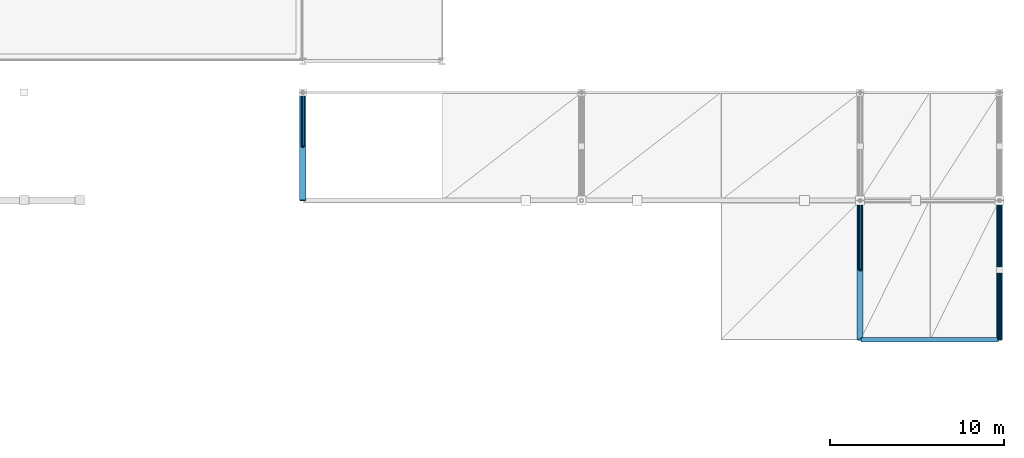
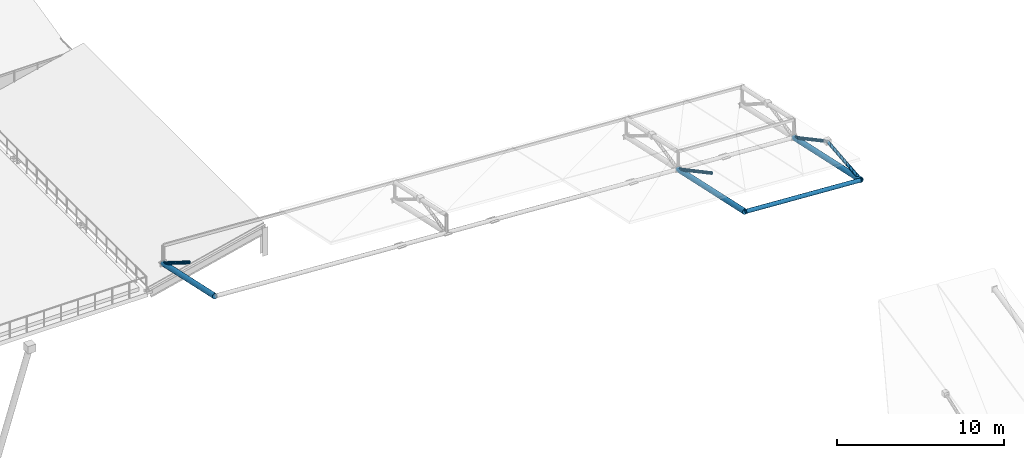
# One storey, part 40 of 83: 4 beams, 4 members.
"""IFC4 building model written with IfcOpenShell, lengths in metres."""

from ifc_helpers import new_model, si_unit, direction, frame, origin, origin_2d, place, context, subcontext, project, spatial, hollow_circle, extrude, material, material_profile, profile_set, type_object, element, save


model = new_model("IFC4")

# Units and contexts
model_context = context("Model", 3, precision=1e-05, world=origin(), true_north=direction((0.0, 1.0)))
body_context = subcontext(model_context, "Body", "Model", "MODEL_VIEW")
ifc_project = project(units=[si_unit("LENGTHUNIT", "METRE"), si_unit("AREAUNIT", "SQUARE_METRE"), si_unit("VOLUMEUNIT", "CUBIC_METRE"), si_unit("PLANEANGLEUNIT", "RADIAN"), si_unit("MASSUNIT", "GRAM", prefix="KILO")], contexts=[model_context])

# Site, building, storey
site_placement = place(None, origin())
site = spatial("IfcSite", under=ifc_project, at=site_placement, CompositionType="ELEMENT")
building_placement = place(site_placement, origin())
building = spatial("IfcBuilding", under=site, at=building_placement, Name="Drelvath Fold Interchange", CompositionType="ELEMENT")
storey_placement = place(building_placement, frame((0.0, 0.0, 11.199951171875)))
storey = spatial("IfcBuildingStorey", under=building, at=storey_placement, Name="L02", CompositionType="ELEMENT", Elevation=11.199951171875)

# Beams
ifc_material = material(Name="Steel ASTM A500 Grade C", Category="steel")
ifc_material_profile_1 = material_profile(ifc_material, hollow_circle(Radius=0.177978515625, WallThickness=0.01171875, at=origin_2d()), Name="HSS14.000X0.500")
ifc_profile_set_1 = profile_set([ifc_material_profile_1], Name="Steel ASTM A500 Grade C")
beam_type_1 = type_object("IfcBeamType", Name="SF-RIB356", PredefinedType="BEAM", material=ifc_profile_set_1)
beam_1_placement = place(storey_placement, frame((134.0, 67.0, 4.574951171875), z_axis=(0.0, 0.977045617988, -0.213030186525), x_axis=(-1.0, 0.0, 0.0)))
element("IfcBeam", 1, at=beam_1_placement, inside=storey, type_object=beam_type_1, Name="Space frame roof truss main rib chord EAST", PredefinedType="BEAM", context=body_context, shape_type="SweptSolid", body=[
    extrude(hollow_circle(Radius=0.177978515625, WallThickness=0.01171875, at=origin_2d()), origin(), (0.0, 0.0, 1.0), 6.345703125),
])
for number, where, z_axis, x_axis, name in (
    (2, (166.0, 59.0, 4.39404296875), (0.0, 0.977055375556, -0.212985429309), (-1.0, 0.0, 0.0), "Space frame roof truss main rib chord EAST"),
    (3, (174.0, 59.0, 3.9130859375), (0.0, 0.97704917023, -0.213013893803), (-1.0, 0.0, 0.0), "Space frame roof truss main rib chord EAST"),
):
    element("IfcBeam", number, at=place(storey_placement, frame(where, z_axis=z_axis, x_axis=x_axis)), inside=storey, type_object=beam_type_1, Name=name, PredefinedType="BEAM", context=body_context, shape_type="SweptSolid", body=[
        extrude(hollow_circle(Radius=0.177978515625, WallThickness=0.01171875, at=origin_2d()), origin(), (0.0, 0.0, 1.0), 8.18798828125),
    ])
ifc_material_profile_2 = material_profile(ifc_material, hollow_circle(Radius=0.136474609375, WallThickness=0.01171875, at=origin_2d()), Name="HSS10.750X0.500")
ifc_profile_set_2 = profile_set([ifc_material_profile_2], Name="Steel ASTM A500 Grade C")
beam_type_2 = type_object("IfcBeamType", Name="SF-TIE273", PredefinedType="BEAM", material=ifc_profile_set_2)
beam_2_placement = place(storey_placement, frame((166.050048828125, 59.0, 4.39404296875), z_axis=(0.998151864272, 0.0, -0.060768872384), x_axis=(0.0, 1.0, 0.0)))
element("IfcBeam", 4, at=beam_2_placement, inside=storey, type_object=beam_type_2, Name="Space frame roof truss longitudinal tie EAST", PredefinedType="BEAM", context=body_context, shape_type="SweptSolid", body=[
    extrude(hollow_circle(Radius=0.136474609375, WallThickness=0.01171875, at=origin_2d()), origin(), (0.0, 0.0, 1.0), 7.91455078125),
])

# Members
ifc_material_profile_3 = material_profile(ifc_material, hollow_circle(Radius=0.109619140625, WallThickness=0.0087890625, at=origin_2d()), Name="HSS8.625X0.375")
ifc_profile_set_3 = profile_set([ifc_material_profile_3], Name="Steel ASTM A500 Grade C")
member_type = type_object("IfcMemberType", Name="SF-WEB219", PredefinedType="BRACE", material=ifc_profile_set_3)
member_1_placement = place(storey_placement, frame((134.0, 70.10009765625, 5.1689453125), z_axis=(0.0, 0.846966130584, -0.531646850497), x_axis=(-1.0, 0.0, 0.0)))
element("IfcMember", 5, at=member_1_placement, inside=storey, type_object=member_type, Name="L02 Space frame roof truss web brace SF-WEB219", PredefinedType="BRACE", context=body_context, shape_type="SweptSolid", body=[
    extrude(hollow_circle(Radius=0.109619140625, WallThickness=0.0087890625, at=origin_2d()), origin(), (0.0, 0.0, 1.0), 3.659912109375),
])
member_2_placement = place(storey_placement, frame((166.0, 63.0, 4.7919921875), z_axis=(0.0, 0.881572741969, -0.472048197345), x_axis=(-1.0, 0.0, 0.0)))
element("IfcMember", 6, at=member_2_placement, inside=storey, type_object=member_type, Name="L02 Space frame roof truss web brace SF-WEB219", PredefinedType="BRACE", context=body_context, shape_type="SweptSolid", body=[
    extrude(hollow_circle(Radius=0.109619140625, WallThickness=0.0087890625, at=origin_2d()), origin(), (0.0, 0.0, 1.0), 4.537353515625),
])
member_3_placement = place(storey_placement, frame((174.0, 59.0, 3.9130859375), z_axis=(0.0, 0.995087574546, 0.09899858072), x_axis=(-1.0, 0.0, 0.0)))
element("IfcMember", 7, at=member_3_placement, inside=storey, type_object=member_type, Name="L02 Space frame roof truss web brace SF-WEB219", PredefinedType="BRACE", context=body_context, shape_type="SweptSolid", body=[
    extrude(hollow_circle(Radius=0.109619140625, WallThickness=0.0087890625, at=origin_2d()), origin(), (0.0, 0.0, 1.0), 4.019775390625),
])
member_4_placement = place(storey_placement, frame((174.0, 63.0, 4.31103515625), z_axis=(0.0, 0.881550350071, -0.47209001291), x_axis=(-1.0, 0.0, 0.0)))
element("IfcMember", 8, at=member_4_placement, inside=storey, type_object=member_type, Name="L02 Space frame roof truss web brace SF-WEB219", PredefinedType="BRACE", context=body_context, shape_type="SweptSolid", body=[
    extrude(hollow_circle(Radius=0.109619140625, WallThickness=0.0087890625, at=origin_2d()), origin(), (0.0, 0.0, 1.0), 4.537353515625),
])

save(model, "model.ifc")
